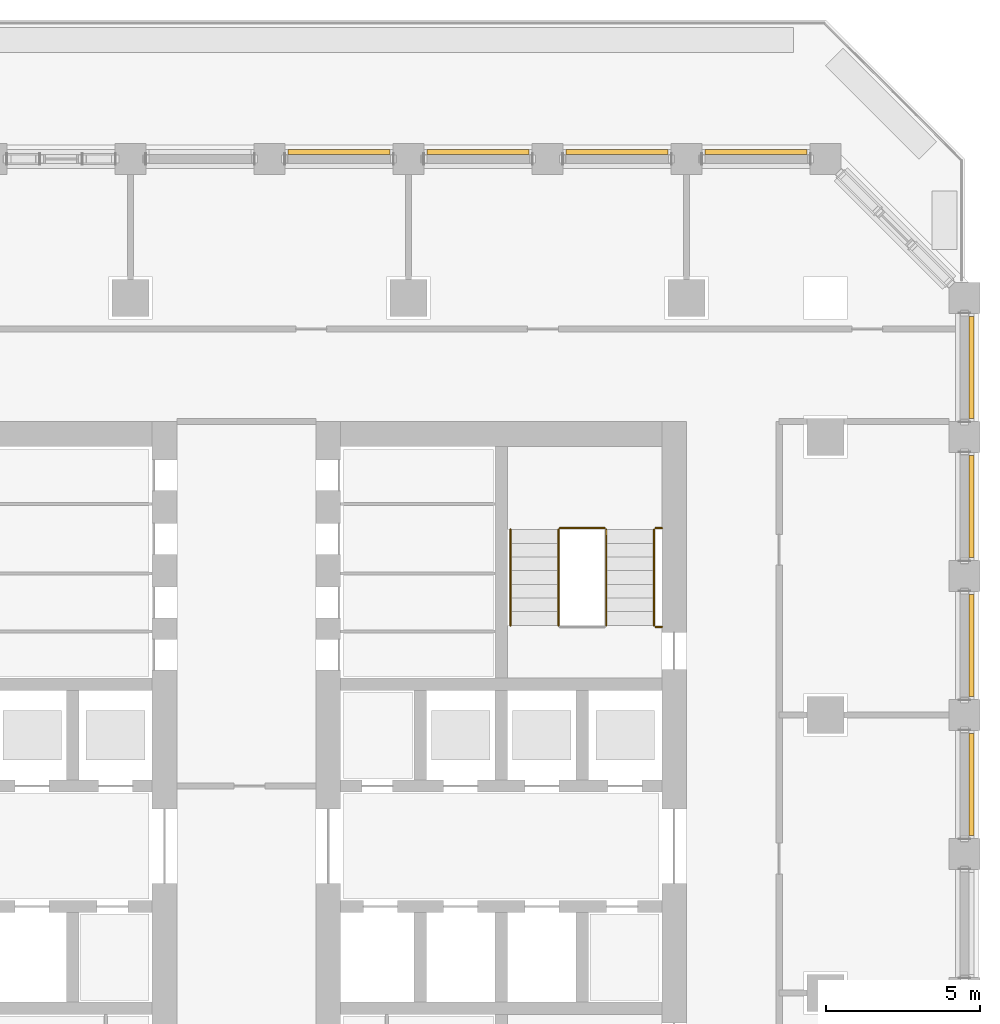
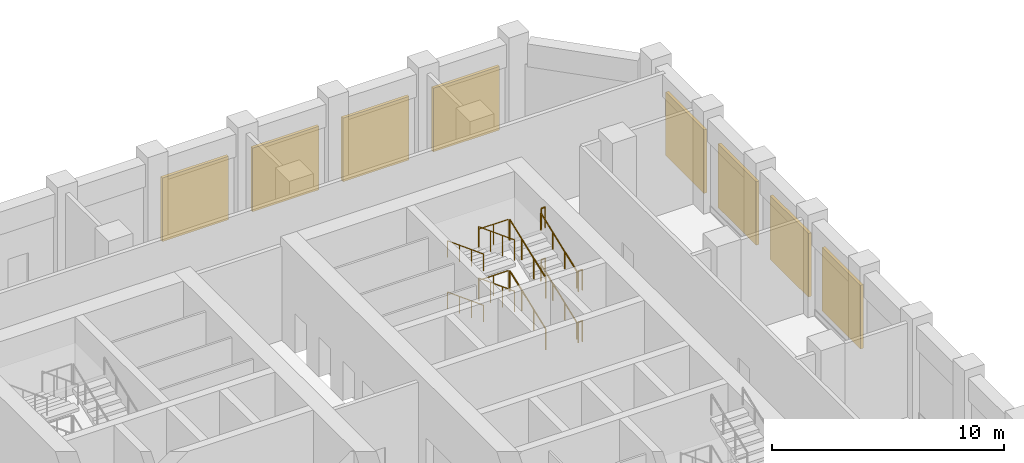
# One storey, part 18 of 20: 14 railings, 8 shading devices.
"""IFC4 building model written with IfcOpenShell, lengths in metres."""

from ifc_helpers import new_model, si_unit, direction, frame, origin, origin_2d, place, context, subcontext, project, spatial, rectangle, circle, extrude, material, layer, layer_set, type_object, element, save


model = new_model("IFC4")

# Units and contexts
model_context = context("Model", 3, precision=1e-05, world=origin(), true_north=direction((0.0, 1.0)))
body_context = subcontext(model_context, "Body", "Model", "MODEL_VIEW")
ifc_project = project(units=[si_unit("LENGTHUNIT", "METRE"), si_unit("AREAUNIT", "SQUARE_METRE"), si_unit("VOLUMEUNIT", "CUBIC_METRE"), si_unit("PLANEANGLEUNIT", "RADIAN"), si_unit("MASSUNIT", "GRAM", prefix="KILO")], contexts=[model_context])

# Site, building, storey
site_placement = place(None, origin())
site = spatial("IfcSite", under=ifc_project, at=site_placement, CompositionType="ELEMENT")
building_placement = place(site_placement, origin())
building = spatial("IfcBuilding", under=site, at=building_placement, Name="Corbel Stack Research Tower", CompositionType="ELEMENT")
storey_placement = place(building_placement, frame((0.0, 0.0, 151.39990234375)))
storey = spatial("IfcBuildingStorey", under=building, at=storey_placement, Name="L34", CompositionType="ELEMENT", Elevation=151.39990234375)

# Shading devices
ifc_material_1 = material(Name="Aluminium louvre", Category="aluminium")
ifc_layer = layer(ifc_material_1, 0.14990234375)
ifc_layer_set = layer_set([ifc_layer], Name="Aluminium louvre")
shading_device_type = type_object("IfcShadingDeviceType", Name="Plant louvre 150", PredefinedType="USERDEFINED", material=ifc_layer_set)
for number, where, z_axis, x_axis, name in (
    (1, (27.22509765625, 6.75, 0.199951171875), (0.0, 0.0, 1.0), (0.0, 1.0, 0.0), "Plant louvre L34 E06"),
    (2, (27.22509765625, 11.25, 0.199951171875), (0.0, 0.0, 1.0), (0.0, 1.0, 0.0), "Plant louvre L34 E07"),
    (3, (27.22509765625, 15.75, 0.199951171875), (0.0, 0.0, 1.0), (0.0, 1.0, 0.0), "Plant louvre L34 E08"),
    (4, (27.22509765625, 20.25, 0.199951171875), (0.0, 0.0, 1.0), (0.0, 1.0, 0.0), "Plant louvre L34 E09"),
    (5, (20.25, 27.22509765625, 0.199951171875), (0.0, 0.0, 1.0), (-1.0, 0.0, 0.0), "Plant louvre L34 N01"),
    (6, (15.75, 27.22509765625, 0.199951171875), (0.0, 0.0, 1.0), (-1.0, 0.0, 0.0), "Plant louvre L34 N02"),
    (7, (11.25, 27.22509765625, 0.199951171875), (0.0, 0.0, 1.0), (-1.0, 0.0, 0.0), "Plant louvre L34 N03"),
    (8, (6.75, 27.22509765625, 0.199951171875), (0.0, 0.0, 1.0), (-1.0, 0.0, 0.0), "Plant louvre L34 N04"),
):
    element("IfcShadingDevice", number, at=place(storey_placement, frame(where, z_axis=z_axis, x_axis=x_axis)), inside=storey, type_object=shading_device_type, Name=name, ObjectType="LOUVRE", PredefinedType="USERDEFINED", context=body_context, shape_type="SweptSolid", body=[
        extrude(rectangle(XDim=3.300048828125, YDim=0.14990234375, at=origin_2d()), origin(), (0.0, 0.0, 1.0), 3.35009765625),
    ])

# Railings
ifc_material_2 = material(Name="Steel S355", Category="steel")
railing_type_1 = type_object("IfcRailingType", Name="Stair guard 1100", PredefinedType="GUARDRAIL", material=ifc_material_2)
railing_1_placement = place(storey_placement, frame((15.39990234375, 11.89990234375, 0.1689453125)))
element("IfcRailing", 9, at=railing_1_placement, inside=storey, type_object=railing_type_1, Name="L34 ST-E2 stair guard 1", PredefinedType="GUARDRAIL", context=body_context, shape_type="SweptSolid", body=[
    extrude(circle(Radius=0.02392578125, at=origin_2d()), frame((0.0, 0.0, 1.076171875), z_axis=(0.0, 0.934508712189, 0.355940257406), x_axis=(-1.0, 0.0, 0.0)), (0.0, 0.0, 1.0), 3.318359375),
    extrude(circle(Radius=0.02099609375, at=origin_2d()), origin(), (0.0, 0.0, 1.0), 1.052001953125),
    extrude(circle(Radius=0.02099609375, at=origin_2d()), frame((0.0, 1.03369140625, 0.393798828125)), (0.0, 0.0, 1.0), 1.052001953125),
    extrude(circle(Radius=0.02099609375, at=origin_2d()), frame((0.0, 2.0673828125, 0.787353515625)), (0.0, 0.0, 1.0), 1.052001953125),
    extrude(circle(Radius=0.02099609375, at=origin_2d()), frame((0.0, 3.10107421875, 1.18115234375)), (0.0, 0.0, 1.0), 1.052001953125),
])
railing_2_placement = place(storey_placement, frame((15.35009765625, 15.051025390625, 1.35009765625)))
element("IfcRailing", 10, at=railing_2_placement, inside=storey, type_object=railing_type_1, Name="L34 ST-E2 stair guard 2", PredefinedType="GUARDRAIL", context=body_context, shape_type="SweptSolid", body=[
    extrude(circle(Radius=0.02392578125, at=origin_2d()), frame((0.0, 0.0, 1.076171875), z_axis=(-1.0, 0.0, 0.0), x_axis=(0.0, -1.0, 0.0)), (0.0, 0.0, 1.0), 1.4501953125),
    extrude(circle(Radius=0.02099609375, at=origin_2d()), origin(), (0.0, 0.0, 1.0), 1.052001953125),
    extrude(circle(Radius=0.02099609375, at=origin_2d()), frame((-0.72509765625, 0.0, 0.0)), (0.0, 0.0, 1.0), 1.052001953125),
    extrude(circle(Radius=0.02099609375, at=origin_2d()), frame((-1.4501953125, 0.0, 0.0)), (0.0, 0.0, 1.0), 1.052001953125),
])
railing_3_placement = place(storey_placement, frame((17.199951171875, 15.051025390625, 1.35009765625)))
element("IfcRailing", 11, at=railing_3_placement, inside=storey, type_object=railing_type_1, Name="L34 ST-E2 stair guard 3", PredefinedType="GUARDRAIL", context=body_context, shape_type="SweptSolid", body=[
    extrude(circle(Radius=0.02392578125, at=origin_2d()), frame((0.0, 0.0, 1.076171875), z_axis=(-1.0, 0.0, 0.0), x_axis=(0.0, -1.0, 0.0)), (0.0, 0.0, 1.0), 0.199951171875),
    extrude(circle(Radius=0.02099609375, at=origin_2d()), origin(), (0.0, 0.0, 1.0), 1.052001953125),
    extrude(circle(Radius=0.02099609375, at=origin_2d()), frame((-0.199951171875, 0.0, 0.0)), (0.0, 0.0, 1.0), 1.052001953125),
])
railing_4_placement = place(storey_placement, frame((13.85009765625, 15.0009765625, 1.518798828125)))
element("IfcRailing", 12, at=railing_4_placement, inside=storey, type_object=railing_type_1, Name="L34 ST-E2 stair guard 4", PredefinedType="GUARDRAIL", context=body_context, shape_type="SweptSolid", body=[
    extrude(circle(Radius=0.02392578125, at=origin_2d()), frame((0.0, 0.0, 1.076171875), z_axis=(0.0, -0.934484238495, 0.356004505596), x_axis=(1.0, 0.0, 0.0)), (0.0, 0.0, 1.0), 3.318603515625),
    extrude(circle(Radius=0.02099609375, at=origin_2d()), origin(), (0.0, 0.0, 1.0), 1.052001953125),
    extrude(circle(Radius=0.02099609375, at=origin_2d()), frame((0.0, -1.03369140625, 0.393798828125)), (0.0, 0.0, 1.0), 1.052001953125),
    extrude(circle(Radius=0.02099609375, at=origin_2d()), frame((0.0, -2.0673828125, 0.78759765625)), (0.0, 0.0, 1.0), 1.052001953125),
    extrude(circle(Radius=0.02099609375, at=origin_2d()), frame((0.0, -3.10107421875, 1.181396484375)), (0.0, 0.0, 1.0), 1.052001953125),
])
railing_5_placement = place(storey_placement, frame((17.199951171875, 11.85009765625, 2.7001953125)))
element("IfcRailing", 13, at=railing_5_placement, inside=storey, type_object=railing_type_1, Name="L34 ST-E2 stair guard 6", PredefinedType="GUARDRAIL", context=body_context, shape_type="SweptSolid", body=[
    extrude(circle(Radius=0.02392578125, at=origin_2d()), frame((0.0, 0.0, 1.076171875), z_axis=(-1.0, 0.0, 0.0), x_axis=(0.0, -1.0, 0.0)), (0.0, 0.0, 1.0), 0.199951171875),
    extrude(circle(Radius=0.02099609375, at=origin_2d()), origin(), (0.0, 0.0, 1.0), 1.052001953125),
    extrude(circle(Radius=0.02099609375, at=origin_2d()), frame((-0.199951171875, 0.0, 0.0)), (0.0, 0.0, 1.0), 1.052001953125),
])
railing_6_placement = place(storey_placement, frame((15.39990234375, 11.89990234375, 2.868896484375)))
element("IfcRailing", 14, at=railing_6_placement, inside=storey, type_object=railing_type_1, Name="L34 ST-E2 stair guard 7", PredefinedType="GUARDRAIL", context=body_context, shape_type="SweptSolid", body=[
    extrude(circle(Radius=0.02392578125, at=origin_2d()), frame((0.0, 0.0, 1.076171875), z_axis=(0.0, 0.934508712189, 0.355940257406), x_axis=(-1.0, 0.0, 0.0)), (0.0, 0.0, 1.0), 3.318359375),
    extrude(circle(Radius=0.02099609375, at=origin_2d()), origin(), (0.0, 0.0, 1.0), 1.052001953125),
    extrude(circle(Radius=0.02099609375, at=origin_2d()), frame((0.0, 1.03369140625, 0.393798828125)), (0.0, 0.0, 1.0), 1.052001953125),
    extrude(circle(Radius=0.02099609375, at=origin_2d()), frame((0.0, 2.0673828125, 0.787353515625)), (0.0, 0.0, 1.0), 1.052001953125),
    extrude(circle(Radius=0.02099609375, at=origin_2d()), frame((0.0, 3.10107421875, 1.18115234375)), (0.0, 0.0, 1.0), 1.052001953125),
])
railing_7_placement = place(storey_placement, frame((15.35009765625, 15.051025390625, 4.050048828125)))
element("IfcRailing", 15, at=railing_7_placement, inside=storey, type_object=railing_type_1, Name="L34 ST-E2 stair guard 8", PredefinedType="GUARDRAIL", context=body_context, shape_type="SweptSolid", body=[
    extrude(circle(Radius=0.02392578125, at=origin_2d()), frame((0.0, 0.0, 1.076171875), z_axis=(-1.0, 0.0, 0.0), x_axis=(0.0, -1.0, 0.0)), (0.0, 0.0, 1.0), 1.4501953125),
    extrude(circle(Radius=0.02099609375, at=origin_2d()), origin(), (0.0, 0.0, 1.0), 1.052001953125),
    extrude(circle(Radius=0.02099609375, at=origin_2d()), frame((-0.72509765625, 0.0, 0.0)), (0.0, 0.0, 1.0), 1.052001953125),
    extrude(circle(Radius=0.02099609375, at=origin_2d()), frame((-1.4501953125, 0.0, 0.0)), (0.0, 0.0, 1.0), 1.052001953125),
])
railing_8_placement = place(storey_placement, frame((17.199951171875, 15.051025390625, 4.050048828125)))
element("IfcRailing", 16, at=railing_8_placement, inside=storey, type_object=railing_type_1, Name="L34 ST-E2 stair guard 9", PredefinedType="GUARDRAIL", context=body_context, shape_type="SweptSolid", body=[
    extrude(circle(Radius=0.02392578125, at=origin_2d()), frame((0.0, 0.0, 1.076171875), z_axis=(-1.0, 0.0, 0.0), x_axis=(0.0, -1.0, 0.0)), (0.0, 0.0, 1.0), 0.199951171875),
    extrude(circle(Radius=0.02099609375, at=origin_2d()), origin(), (0.0, 0.0, 1.0), 1.052001953125),
    extrude(circle(Radius=0.02099609375, at=origin_2d()), frame((-0.199951171875, 0.0, 0.0)), (0.0, 0.0, 1.0), 1.052001953125),
])
railing_9_placement = place(storey_placement, frame((13.85009765625, 15.0009765625, 4.21875)))
element("IfcRailing", 17, at=railing_9_placement, inside=storey, type_object=railing_type_1, Name="L34 ST-E2 stair guard 10", PredefinedType="GUARDRAIL", context=body_context, shape_type="SweptSolid", body=[
    extrude(circle(Radius=0.02392578125, at=origin_2d()), frame((0.0, 0.0, 1.076171875), z_axis=(0.0, -0.934484238495, 0.356004505596), x_axis=(1.0, 0.0, 0.0)), (0.0, 0.0, 1.0), 3.318603515625),
    extrude(circle(Radius=0.02099609375, at=origin_2d()), origin(), (0.0, 0.0, 1.0), 1.052001953125),
    extrude(circle(Radius=0.02099609375, at=origin_2d()), frame((0.0, -1.03369140625, 0.393798828125)), (0.0, 0.0, 1.0), 1.052001953125),
    extrude(circle(Radius=0.02099609375, at=origin_2d()), frame((0.0, -2.0673828125, 0.78759765625)), (0.0, 0.0, 1.0), 1.052001953125),
    extrude(circle(Radius=0.02099609375, at=origin_2d()), frame((0.0, -3.10107421875, 1.181396484375)), (0.0, 0.0, 1.0), 1.052001953125),
])
railing_10_placement = place(storey_placement, frame((17.199951171875, 11.85009765625, 0.0)))
element("IfcRailing", 18, at=railing_10_placement, inside=storey, type_object=railing_type_1, Name="L34 ST-E2 stair guard 12", PredefinedType="GUARDRAIL", context=body_context, shape_type="SweptSolid", body=[
    extrude(circle(Radius=0.02392578125, at=origin_2d()), frame((0.0, 0.0, 1.076171875), z_axis=(-1.0, 0.0, 0.0), x_axis=(0.0, -1.0, 0.0)), (0.0, 0.0, 1.0), 0.199951171875),
    extrude(circle(Radius=0.02099609375, at=origin_2d()), origin(), (0.0, 0.0, 1.0), 1.052001953125),
    extrude(circle(Radius=0.02099609375, at=origin_2d()), frame((-0.199951171875, 0.0, 0.0)), (0.0, 0.0, 1.0), 1.052001953125),
])
ifc_material_3 = material(Name="Steel S355", Category="steel")
railing_type_2 = type_object("IfcRailingType", Name="Stair handrail 900", PredefinedType="HANDRAIL", material=ifc_material_3)
railing_11_placement = place(storey_placement, frame((16.949951171875, 11.89990234375, 0.1689453125)))
element("IfcRailing", 19, at=railing_11_placement, inside=storey, type_object=railing_type_2, Name="L34 ST-E2 stair handrail 1", PredefinedType="HANDRAIL", context=body_context, shape_type="SweptSolid", body=[
    extrude(circle(Radius=0.02392578125, at=origin_2d()), frame((0.0, 0.0, 0.8759765625), z_axis=(0.0, 0.934508712189, 0.355940257406), x_axis=(-1.0, 0.0, 0.0)), (0.0, 0.0, 1.0), 3.318359375),
    extrude(circle(Radius=0.02099609375, at=origin_2d()), origin(), (0.0, 0.0, 1.0), 0.851806640625),
    extrude(circle(Radius=0.02099609375, at=origin_2d()), frame((0.0, 1.03369140625, 0.393798828125)), (0.0, 0.0, 1.0), 0.851806640625),
    extrude(circle(Radius=0.02099609375, at=origin_2d()), frame((0.0, 2.0673828125, 0.787353515625)), (0.0, 0.0, 1.0), 0.851806640625),
    extrude(circle(Radius=0.02099609375, at=origin_2d()), frame((0.0, 3.10107421875, 1.18115234375)), (0.0, 0.0, 1.0), 0.851806640625),
])
railing_12_placement = place(storey_placement, frame((12.300048828125, 15.0009765625, 1.518798828125)))
element("IfcRailing", 20, at=railing_12_placement, inside=storey, type_object=railing_type_2, Name="L34 ST-E2 stair handrail 2", PredefinedType="HANDRAIL", context=body_context, shape_type="SweptSolid", body=[
    extrude(circle(Radius=0.02392578125, at=origin_2d()), frame((0.0, 0.0, 0.8759765625), z_axis=(0.0, -0.934484238495, 0.356004505596), x_axis=(1.0, 0.0, 0.0)), (0.0, 0.0, 1.0), 3.318603515625),
    extrude(circle(Radius=0.02099609375, at=origin_2d()), origin(), (0.0, 0.0, 1.0), 0.851806640625),
    extrude(circle(Radius=0.02099609375, at=origin_2d()), frame((0.0, -1.03369140625, 0.393798828125)), (0.0, 0.0, 1.0), 0.851806640625),
    extrude(circle(Radius=0.02099609375, at=origin_2d()), frame((0.0, -2.0673828125, 0.78759765625)), (0.0, 0.0, 1.0), 0.851806640625),
    extrude(circle(Radius=0.02099609375, at=origin_2d()), frame((0.0, -3.10107421875, 1.181396484375)), (0.0, 0.0, 1.0), 0.851806640625),
])
railing_13_placement = place(storey_placement, frame((16.949951171875, 11.89990234375, 2.868896484375)))
element("IfcRailing", 21, at=railing_13_placement, inside=storey, type_object=railing_type_2, Name="L34 ST-E2 stair handrail 3", PredefinedType="HANDRAIL", context=body_context, shape_type="SweptSolid", body=[
    extrude(circle(Radius=0.02392578125, at=origin_2d()), frame((0.0, 0.0, 0.8759765625), z_axis=(0.0, 0.934508712189, 0.355940257406), x_axis=(-1.0, 0.0, 0.0)), (0.0, 0.0, 1.0), 3.318359375),
    extrude(circle(Radius=0.02099609375, at=origin_2d()), origin(), (0.0, 0.0, 1.0), 0.851806640625),
    extrude(circle(Radius=0.02099609375, at=origin_2d()), frame((0.0, 1.03369140625, 0.393798828125)), (0.0, 0.0, 1.0), 0.851806640625),
    extrude(circle(Radius=0.02099609375, at=origin_2d()), frame((0.0, 2.0673828125, 0.787353515625)), (0.0, 0.0, 1.0), 0.851806640625),
    extrude(circle(Radius=0.02099609375, at=origin_2d()), frame((0.0, 3.10107421875, 1.18115234375)), (0.0, 0.0, 1.0), 0.851806640625),
])
railing_14_placement = place(storey_placement, frame((12.300048828125, 15.0009765625, 4.21875)))
element("IfcRailing", 22, at=railing_14_placement, inside=storey, type_object=railing_type_2, Name="L34 ST-E2 stair handrail 4", PredefinedType="HANDRAIL", context=body_context, shape_type="SweptSolid", body=[
    extrude(circle(Radius=0.02392578125, at=origin_2d()), frame((0.0, 0.0, 0.8759765625), z_axis=(0.0, -0.934484238495, 0.356004505596), x_axis=(1.0, 0.0, 0.0)), (0.0, 0.0, 1.0), 3.318603515625),
    extrude(circle(Radius=0.02099609375, at=origin_2d()), origin(), (0.0, 0.0, 1.0), 0.851806640625),
    extrude(circle(Radius=0.02099609375, at=origin_2d()), frame((0.0, -1.03369140625, 0.393798828125)), (0.0, 0.0, 1.0), 0.851806640625),
    extrude(circle(Radius=0.02099609375, at=origin_2d()), frame((0.0, -2.0673828125, 0.78759765625)), (0.0, 0.0, 1.0), 0.851806640625),
    extrude(circle(Radius=0.02099609375, at=origin_2d()), frame((0.0, -3.10107421875, 1.181396484375)), (0.0, 0.0, 1.0), 0.851806640625),
])

save(model, "model.ifc")
